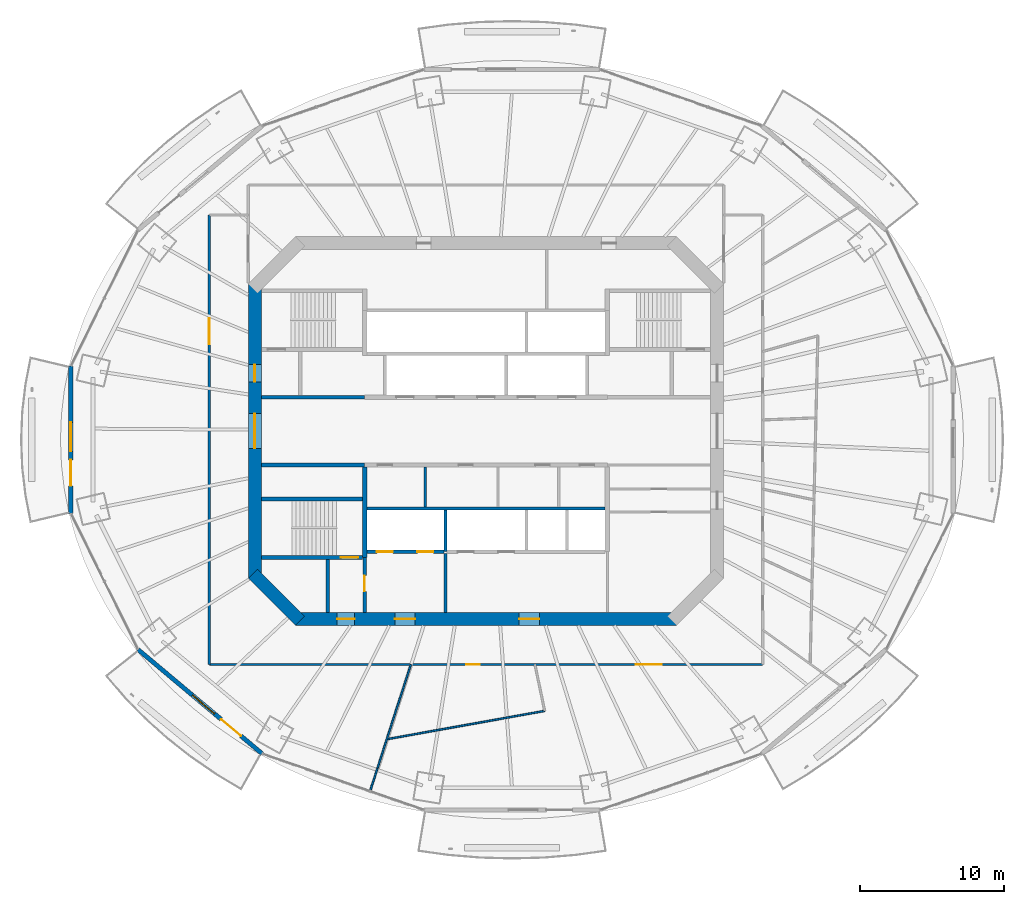
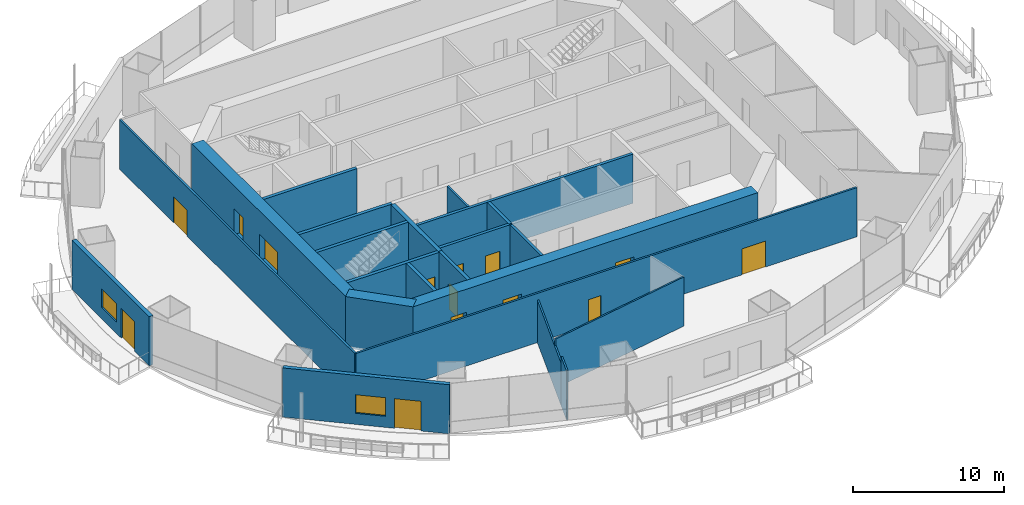
# One storey, part 11 of 20: 22 walls, 14 doors, 2 windows, 16 openings.
"""IFC4 building model written with IfcOpenShell, lengths in metres."""

from ifc_helpers import new_model, si_unit, direction, frame, frame_2d, origin, place, context, subcontext, project, spatial, rectangle, extrude, material, layer, layer_set, type_object, element, fill, save


model = new_model("IFC4")

# Units and contexts
model_context = context("Model", 3, precision=1e-05, world=origin(), true_north=direction((0.0, 1.0)))
body_context = subcontext(model_context, "Body", "Model", "MODEL_VIEW")
ifc_project = project(units=[si_unit("LENGTHUNIT", "METRE"), si_unit("AREAUNIT", "SQUARE_METRE"), si_unit("VOLUMEUNIT", "CUBIC_METRE"), si_unit("PLANEANGLEUNIT", "RADIAN"), si_unit("MASSUNIT", "GRAM", prefix="KILO")], contexts=[model_context])

# Site, building, storey
site_placement = place(None, origin())
site = spatial("IfcSite", under=ifc_project, at=site_placement, CompositionType="ELEMENT")
building_placement = place(site_placement, origin())
building = spatial("IfcBuilding", under=site, at=building_placement, Name="Marenthal Gate Tower", CompositionType="ELEMENT")
storey_placement = place(building_placement, frame((0.0, 0.0, 210.85009765625)))
storey = spatial("IfcBuildingStorey", under=building, at=storey_placement, Name="L46", CompositionType="ELEMENT", Elevation=210.85009765625)

# Wall, openings, doors
ifc_material_1 = material(Name="Concrete 60 MPa", Category="concrete")
ifc_layer_1 = layer(ifc_material_1, 0.89990234375)
ifc_layer_set_1 = layer_set([ifc_layer_1], Name="Core shear wall 900")
wall_type_1 = type_object("IfcWallType", Name="Core shear wall 900", PredefinedType="SHEAR", material=ifc_layer_set_1)
wall_1_placement = place(storey_placement, frame((-16.0, 10.186279296875, -0.18017578125), z_axis=(0.0, 0.0, 1.0), x_axis=(0.0, -1.0, 0.0)))
wall_1 = element("IfcWall", 1, at=wall_1_placement, inside=storey, type_object=wall_type_1, Name="Core wall 06", PredefinedType="SHEAR", context=body_context, shape_type="SweptSolid", body=[
    extrude(rectangle(XDim=20.37255859375, YDim=0.89990234375, at=frame_2d((10.186279296875, 0.0))), origin(), (0.0, 0.0, 1.0), 4.150146484375),
])
opening_1_placement = place(wall_1_placement, frame((8.986328125, 0.0, 0.179931640625)))
opening_1 = element("IfcOpeningElement", 2, at=opening_1_placement, cuts=wall_1, Name="Opening D003.01", PredefinedType="OPENING", context=body_context, shape_type="SweptSolid", body=[
    extrude(rectangle(XDim=2.39990234375, YDim=2.10009765625, at=frame_2d((1.199951171875, 1.050048828125))), frame((0.0, 0.4599609375, 0.0), z_axis=(0.0, -1.0, 0.0), x_axis=(1.0, 0.0, 0.0)), (0.0, 0.0, 1.0), 0.919921875),
])
opening_2_placement = place(wall_1_placement, frame((5.58642578125, 0.0, 0.179931640625)))
opening_2 = element("IfcOpeningElement", 3, at=opening_2_placement, cuts=wall_1, Name="Opening D001.04", PredefinedType="OPENING", context=body_context, shape_type="SweptSolid", body=[
    extrude(rectangle(XDim=1.199951171875, YDim=2.10009765625, at=frame_2d((0.60009765625, 1.050048828125))), frame((0.0, 0.4599609375, 0.0), z_axis=(0.0, -1.0, 0.0), x_axis=(1.0, 0.0, 0.0)), (0.0, 0.0, 1.0), 0.919921875),
])
ifc_material_2 = material(Name="Steel fire door", Category="steel")
door_type_1 = type_object("IfcDoorType", Name="Double fire door FD 45 2400 x 2100", OperationType="DOUBLE_DOOR_SINGLE_SWING", PredefinedType="DOOR", material=ifc_material_2)
door_1_placement = place(opening_1_placement, origin())
door_1 = element("IfcDoor", 4, at=door_1_placement, inside=storey, type_object=door_type_1, Name="Door D003.01", OperationType="DOUBLE_DOOR_SINGLE_SWING", OverallHeight=2.10009765625, OverallWidth=2.39990234375, PredefinedType="DOOR", context=body_context, shape_type="SweptSolid", body=[
    extrude(rectangle(XDim=2.39990234375, YDim=2.10009765625, at=frame_2d((1.199951171875, 1.050048828125))), frame((0.0, 0.02490234375, 0.0), z_axis=(0.0, -1.0, 0.0), x_axis=(1.0, 0.0, 0.0)), (0.0, 0.0, 1.0), 0.050048828125),
])
fill(opening_1, door_1)
ifc_material_3 = material(Name="Steel fire door", Category="steel")
door_type_2 = type_object("IfcDoorType", Name="Fire door FD 90 1200 x 2100", OperationType="NOTDEFINED", PredefinedType="DOOR", material=ifc_material_3)
door_2_placement = place(opening_2_placement, origin())
door_2 = element("IfcDoor", 5, at=door_2_placement, inside=storey, type_object=door_type_2, Name="Door D001.04", OperationType="SINGLE_SWING_RIGHT", OverallHeight=2.10009765625, OverallWidth=1.199951171875, PredefinedType="DOOR", context=body_context, shape_type="SweptSolid", body=[
    extrude(rectangle(XDim=1.199951171875, YDim=2.10009765625, at=frame_2d((0.60009765625, 1.050048828125))), frame((0.0, 0.02490234375, 0.0), z_axis=(0.0, -1.0, 0.0), x_axis=(1.0, 0.0, 0.0)), (0.0, 0.0, 1.0), 0.050048828125),
])
fill(opening_2, door_2)

# Wall
wall_2_placement = place(storey_placement, frame((-16.1318359375, -9.8681640625, -0.18017578125), z_axis=(0.0, 0.0, 1.0), x_axis=(0.707106781187, -0.707106781187, 0.0)))
element("IfcWall", 6, at=wall_2_placement, inside=storey, type_object=wall_type_1, Name="Core wall 07", PredefinedType="SHEAR", context=body_context, shape_type="SweptSolid", body=[
    extrude(rectangle(XDim=4.615478515625, YDim=0.89990234375, at=frame_2d((2.3076171875, 0.0))), origin(), (0.0, 0.0, 1.0), 4.150146484375),
])

# Wall, openings, doors
wall_3_placement = place(storey_placement, frame((-13.186279296875, -13.0, -0.18017578125), z_axis=(0.0, 0.0, 1.0), x_axis=(1.0, 0.0, 0.0)))
wall_3 = element("IfcWall", 7, at=wall_3_placement, inside=storey, type_object=wall_type_1, Name="Core wall 08", PredefinedType="SHEAR", context=body_context, shape_type="SweptSolid", body=[
    extrude(rectangle(XDim=26.37255859375, YDim=0.89990234375, at=frame_2d((13.186279296875, 0.0))), origin(), (0.0, 0.0, 1.0), 4.150146484375),
])
opening_3_placement = place(wall_3_placement, frame((2.886474609375, 0.0, 0.179931640625)))
opening_3 = element("IfcOpeningElement", 8, at=opening_3_placement, cuts=wall_3, Name="Opening D001.06", PredefinedType="OPENING", context=body_context, shape_type="SweptSolid", body=[
    extrude(rectangle(XDim=1.199951171875, YDim=2.10009765625, at=frame_2d((0.60009765625, 1.050048828125))), frame((0.0, 0.4599609375, 0.0), z_axis=(0.0, -1.0, 0.0), x_axis=(1.0, 0.0, 0.0)), (0.0, 0.0, 1.0), 0.919921875),
])
opening_4_placement = place(wall_3_placement, frame((6.886474609375, 0.0, 0.179931640625)))
opening_4 = element("IfcOpeningElement", 9, at=opening_4_placement, cuts=wall_3, Name="Opening D004.01", PredefinedType="OPENING", context=body_context, shape_type="SweptSolid", body=[
    extrude(rectangle(XDim=1.39990234375, YDim=2.10009765625, at=frame_2d((0.699951171875, 1.050048828125))), frame((0.0, 0.4599609375, 0.0), z_axis=(0.0, -1.0, 0.0), x_axis=(1.0, 0.0, 0.0)), (0.0, 0.0, 1.0), 0.919921875),
])
opening_5_placement = place(wall_3_placement, frame((15.486328125, 0.0, 0.179931640625)))
opening_5 = element("IfcOpeningElement", 10, at=opening_5_placement, cuts=wall_3, Name="Opening D004.02", PredefinedType="OPENING", context=body_context, shape_type="SweptSolid", body=[
    extrude(rectangle(XDim=1.39990234375, YDim=2.10009765625, at=frame_2d((0.699951171875, 1.050048828125))), frame((0.0, 0.4599609375, 0.0), z_axis=(0.0, -1.0, 0.0), x_axis=(1.0, 0.0, 0.0)), (0.0, 0.0, 1.0), 0.919921875),
])
ifc_material_4 = material(Name="Steel fire door", Category="steel")
door_type_3 = type_object("IfcDoorType", Name="Fire door FD 45 1400 x 2100", OperationType="NOTDEFINED", PredefinedType="DOOR", material=ifc_material_4)
door_3_placement = place(opening_4_placement, origin())
door_3 = element("IfcDoor", 11, at=door_3_placement, inside=storey, type_object=door_type_3, Name="Door D004.01", OperationType="SINGLE_SWING_RIGHT", OverallHeight=2.10009765625, OverallWidth=1.39990234375, PredefinedType="DOOR", context=body_context, shape_type="SweptSolid", body=[
    extrude(rectangle(XDim=1.39990234375, YDim=2.10009765625, at=frame_2d((0.699951171875, 1.050048828125))), frame((0.0, 0.02490234375, 0.0), z_axis=(0.0, -1.0, 0.0), x_axis=(1.0, 0.0, 0.0)), (0.0, 0.0, 1.0), 0.050048828125),
])
fill(opening_4, door_3)
door_4_placement = place(opening_5_placement, origin())
door_4 = element("IfcDoor", 12, at=door_4_placement, inside=storey, type_object=door_type_3, Name="Door D004.02", OperationType="SINGLE_SWING_RIGHT", OverallHeight=2.10009765625, OverallWidth=1.39990234375, PredefinedType="DOOR", context=body_context, shape_type="SweptSolid", body=[
    extrude(rectangle(XDim=1.39990234375, YDim=2.10009765625, at=frame_2d((0.699951171875, 1.050048828125))), frame((0.0, 0.02490234375, 0.0), z_axis=(0.0, -1.0, 0.0), x_axis=(1.0, 0.0, 0.0)), (0.0, 0.0, 1.0), 0.050048828125),
])
fill(opening_5, door_4)
door_5_placement = place(opening_3_placement, origin())
door_5 = element("IfcDoor", 13, at=door_5_placement, inside=storey, type_object=door_type_2, Name="Door D001.06", OperationType="SINGLE_SWING_RIGHT", OverallHeight=2.10009765625, OverallWidth=1.199951171875, PredefinedType="DOOR", context=body_context, shape_type="SweptSolid", body=[
    extrude(rectangle(XDim=1.199951171875, YDim=2.10009765625, at=frame_2d((0.60009765625, 1.050048828125))), frame((0.0, 0.02490234375, 0.0), z_axis=(0.0, -1.0, 0.0), x_axis=(1.0, 0.0, 0.0)), (0.0, 0.0, 1.0), 0.050048828125),
])
fill(opening_3, door_5)

# Walls
ifc_material_5 = material(Name="Gypsum board on steel studs", Category="steel")
ifc_layer_2 = layer(ifc_material_5, 0.199951171875)
ifc_layer_set_2 = layer_set([ifc_layer_2], Name="Fire lobby wall 200")
wall_type_2 = type_object("IfcWallType", Name="Fire lobby wall 200", PredefinedType="PARTITIONING", material=ifc_layer_set_2)
wall_4_placement = place(storey_placement, frame((-2.800048828125, -12.550048828125, 0.0), z_axis=(0.0, 0.0, 1.0), x_axis=(0.0, 1.0, 0.0)))
element("IfcWall", 14, at=wall_4_placement, inside=storey, type_object=wall_type_2, Name="Fire wall 36", PredefinedType="PARTITIONING", context=body_context, shape_type="SweptSolid", body=[
    extrude(rectangle(XDim=4.090087890625, YDim=0.199951171875, at=frame_2d((2.044921875, 0.0))), origin(), (0.0, 0.0, 1.0), 3.969970703125),
])
ifc_material_6 = material(Name="Concrete 50 MPa", Category="concrete")
ifc_layer_3 = layer(ifc_material_6, 0.300048828125)
ifc_layer_set_3 = layer_set([ifc_layer_3], Name="Hoistway shear wall 300")
wall_type_3 = type_object("IfcWallType", Name="Hoistway shear wall 300", PredefinedType="SHEAR", material=ifc_layer_set_3)
wall_5_placement = place(storey_placement, frame((-8.39990234375, -8.75, -0.18017578125), z_axis=(0.0, 0.0, 1.0), x_axis=(0.0, 1.0, 0.0)))
element("IfcWall", 15, at=wall_5_placement, inside=storey, type_object=wall_type_3, Name="Hoistway wall 31", PredefinedType="SHEAR", context=body_context, shape_type="SweptSolid", body=[
    extrude(rectangle(XDim=6.25, YDim=0.300048828125, at=frame_2d((3.125, 0.0))), origin(), (0.0, 0.0, 1.0), 4.150146484375),
])

# Wall, openings, doors
ifc_material_7 = material(Name="Concrete 40 MPa", Category="concrete")
ifc_layer_4 = layer(ifc_material_7, 0.219970703125)
ifc_layer_set_4 = layer_set([ifc_layer_4], Name="Hoistway wall 220")
wall_type_4 = type_object("IfcWallType", Name="Hoistway wall 220", PredefinedType="STANDARD", material=ifc_layer_set_4)
wall_6_placement = place(storey_placement, frame((-8.25, -8.35009765625, 0.0), z_axis=(0.0, 0.0, 1.0), x_axis=(1.0, 0.0, 0.0)))
wall_6 = element("IfcWall", 16, at=wall_6_placement, inside=storey, type_object=wall_type_4, Name="Hoistway wall 10", PredefinedType="STANDARD", context=body_context, shape_type="SweptSolid", body=[
    extrude(rectangle(XDim=5.340087890625, YDim=0.219970703125, at=frame_2d((2.669921875, 0.0))), origin(), (0.0, 0.0, 1.0), 3.969970703125),
])
opening_6_placement = place(wall_6_placement, frame((0.699951171875, 0.0, 0.0)))
opening_6 = element("IfcOpeningElement", 17, at=opening_6_placement, cuts=wall_6, Name="Opening LD-LF1", PredefinedType="OPENING", context=body_context, shape_type="SweptSolid", body=[
    extrude(rectangle(XDim=1.10009765625, YDim=2.10009765625, at=frame_2d((0.550048828125, 1.050048828125))), frame((0.0, 0.1201171875, 0.0), z_axis=(0.0, -1.0, 0.0), x_axis=(1.0, 0.0, 0.0)), (0.0, 0.0, 1.0), 0.239990234375),
])
opening_7_placement = place(wall_6_placement, frame((3.5, 0.0, 0.0)))
opening_7 = element("IfcOpeningElement", 18, at=opening_7_placement, cuts=wall_6, Name="Opening LD-LF2", PredefinedType="OPENING", context=body_context, shape_type="SweptSolid", body=[
    extrude(rectangle(XDim=1.10009765625, YDim=2.10009765625, at=frame_2d((0.550048828125, 1.050048828125))), frame((0.0, 0.1201171875, 0.0), z_axis=(0.0, -1.0, 0.0), x_axis=(1.0, 0.0, 0.0)), (0.0, 0.0, 1.0), 0.239990234375),
])
ifc_material_8 = material(Name="Stainless steel sliding door", Category="steel")
door_type_4 = type_object("IfcDoorType", Name="Lift landing door FD 90 1100 x 2100", OperationType="DOUBLE_DOOR_SLIDING", PredefinedType="DOOR", material=ifc_material_8)
door_6_placement = place(opening_6_placement, origin())
door_6 = element("IfcDoor", 19, at=door_6_placement, inside=storey, type_object=door_type_4, Name="Lift landing door LF1", OperationType="DOUBLE_DOOR_SLIDING", OverallHeight=2.10009765625, OverallWidth=1.10009765625, PredefinedType="DOOR", context=body_context, shape_type="SweptSolid", body=[
    extrude(rectangle(XDim=1.10009765625, YDim=2.10009765625, at=frame_2d((0.550048828125, 1.050048828125))), frame((0.0, 0.02490234375, 0.0), z_axis=(0.0, -1.0, 0.0), x_axis=(1.0, 0.0, 0.0)), (0.0, 0.0, 1.0), 0.050048828125),
])
fill(opening_6, door_6)
door_7_placement = place(opening_7_placement, origin())
door_7 = element("IfcDoor", 20, at=door_7_placement, inside=storey, type_object=door_type_4, Name="Lift landing door LF2", OperationType="DOUBLE_DOOR_SLIDING", OverallHeight=2.10009765625, OverallWidth=1.10009765625, PredefinedType="DOOR", context=body_context, shape_type="SweptSolid", body=[
    extrude(rectangle(XDim=1.10009765625, YDim=2.10009765625, at=frame_2d((0.550048828125, 1.050048828125))), frame((0.0, 0.02490234375, 0.0), z_axis=(0.0, -1.0, 0.0), x_axis=(1.0, 0.0, 0.0)), (0.0, 0.0, 1.0), 0.050048828125),
])
fill(opening_7, door_7)

# Walls
wall_7_placement = place(storey_placement, frame((-8.25, -5.35009765625, 0.0), z_axis=(0.0, 0.0, 1.0), x_axis=(1.0, 0.0, 0.0)))
element("IfcWall", 21, at=wall_7_placement, inside=storey, type_object=wall_type_4, Name="Hoistway wall 13", PredefinedType="STANDARD", context=body_context, shape_type="SweptSolid", body=[
    extrude(rectangle(XDim=16.5, YDim=0.219970703125, at=frame_2d((8.25, 0.0))), origin(), (0.0, 0.0, 1.0), 3.969970703125),
])
wall_8_placement = place(storey_placement, frame((-2.800048828125, -8.35009765625, 0.0), z_axis=(0.0, 0.0, 1.0), x_axis=(0.0, 1.0, 0.0)))
element("IfcWall", 22, at=wall_8_placement, inside=storey, type_object=wall_type_4, Name="Hoistway wall 37", PredefinedType="STANDARD", context=body_context, shape_type="SweptSolid", body=[
    extrude(rectangle(XDim=2.89013671875, YDim=0.219970703125, at=frame_2d((1.445068359375, 0.0))), origin(), (0.0, 0.0, 1.0), 3.969970703125),
])
ifc_material_9 = material(Name="Gypsum board on steel studs", Category="steel")
ifc_layer_5 = layer(ifc_material_9, 0.1201171875)
ifc_layer_set_5 = layer_set([ifc_layer_5], Name="Partition 120")
wall_type_5 = type_object("IfcWallType", Name="Partition 120", PredefinedType="PARTITIONING", material=ifc_layer_set_5)
wall_9_placement = place(storey_placement, frame((-6.865234375, -21.32666015625, 0.0), z_axis=(0.0, 0.0, 1.0), x_axis=(0.984270324464, 0.176668979676, 0.0)))
element("IfcWall", 23, at=wall_9_placement, inside=storey, type_object=wall_type_5, Name="Partition wall 55", PredefinedType="PARTITIONING", context=body_context, shape_type="SweptSolid", body=[
    extrude(rectangle(XDim=11.100830078125, YDim=0.1201171875, at=frame_2d((5.55029296875, 0.0))), origin(), (0.0, 0.0, 1.0), 3.969970703125),
])
wall_10_placement = place(storey_placement, frame((-5.19873046875, -16.14990234375, 0.0), z_axis=(0.0, 0.0, 1.0), x_axis=(-0.30641480545, -0.951898086457, 0.0)))
element("IfcWall", 24, at=wall_10_placement, inside=storey, type_object=wall_type_5, Name="Partition wall 56", PredefinedType="PARTITIONING", context=body_context, shape_type="SweptSolid", body=[
    extrude(rectangle(XDim=7.558837890625, YDim=0.1201171875, at=frame_2d((3.779296875, 0.0))), origin(), (0.0, 0.0, 1.0), 3.433837890625),
])
wall_11_placement = place(storey_placement, frame((-7.514892578125, -23.34521484375, 0.0), z_axis=(0.0, 0.0, 1.0), x_axis=(-0.306452252589, -0.951886031457, 0.0)))
element("IfcWall", 25, at=wall_11_placement, inside=storey, type_object=wall_type_5, Name="Partition wall 69", PredefinedType="PARTITIONING", context=body_context, shape_type="SweptSolid", body=[
    extrude(rectangle(XDim=1.65869140625, YDim=0.1201171875, at=frame_2d((0.829345703125, 0.0))), origin(), (0.0, 0.0, 1.0), 3.969970703125),
])
ifc_material_10 = material(Name="Gypsum board on steel studs", Category="steel")
ifc_layer_6 = layer(ifc_material_10, 0.14990234375)
ifc_layer_set_6 = layer_set([ifc_layer_6], Name="Partition 150")
wall_type_6 = type_object("IfcWallType", Name="Partition 150", PredefinedType="PARTITIONING", material=ifc_layer_set_6)
wall_12_placement = place(storey_placement, frame((-4.199951171875, -5.239990234375, 0.0), z_axis=(0.0, 0.0, 1.0), x_axis=(0.0, 1.0, 0.0)))
element("IfcWall", 26, at=wall_12_placement, inside=storey, type_object=wall_type_6, Name="Partition wall 35", PredefinedType="PARTITIONING", context=body_context, shape_type="SweptSolid", body=[
    extrude(rectangle(XDim=2.739990234375, YDim=0.14990234375, at=frame_2d((1.3701171875, 0.0))), origin(), (0.0, 0.0, 1.0), 3.969970703125),
])

# Wall, opening, door
wall_13_placement = place(storey_placement, frame((-19.14990234375, -16.14990234375, 0.0), z_axis=(0.0, 0.0, 1.0), x_axis=(0.0, 1.0, 0.0)))
wall_13 = element("IfcWall", 27, at=wall_13_placement, inside=storey, type_object=wall_type_6, Name="Partition wall 51", PredefinedType="PARTITIONING", context=body_context, shape_type="SweptSolid", body=[
    extrude(rectangle(XDim=31.114013671875, YDim=0.14990234375, at=frame_2d((15.55712890625, 0.0))), origin(), (0.0, 0.0, 1.0), 3.969970703125),
])
opening_8_placement = place(wall_13_placement, frame((22.166015625, 0.0, 0.0)))
opening_8 = element("IfcOpeningElement", 28, at=opening_8_placement, cuts=wall_13, Name="Opening D014.01", PredefinedType="OPENING", context=body_context, shape_type="SweptSolid", body=[
    extrude(rectangle(XDim=1.800048828125, YDim=2.10009765625, at=frame_2d((0.89990234375, 1.050048828125))), frame((0.0, 0.0849609375, 0.0), z_axis=(0.0, -1.0, 0.0), x_axis=(1.0, 0.0, 0.0)), (0.0, 0.0, 1.0), 0.169921875),
])
ifc_material_11 = material(Name="Timber door", Category="wood")
door_type_5 = type_object("IfcDoorType", Name="Double door 1800 x 2100", OperationType="DOUBLE_DOOR_SINGLE_SWING", PredefinedType="DOOR", material=ifc_material_11)
door_8_placement = place(opening_8_placement, origin())
door_8 = element("IfcDoor", 29, at=door_8_placement, inside=storey, type_object=door_type_5, Name="Door D014.01", OperationType="DOUBLE_DOOR_SINGLE_SWING", OverallHeight=2.10009765625, OverallWidth=1.800048828125, PredefinedType="DOOR", context=body_context, shape_type="SweptSolid", body=[
    extrude(rectangle(XDim=1.800048828125, YDim=2.10009765625, at=frame_2d((0.89990234375, 1.050048828125))), frame((0.0, 0.02490234375, 0.0), z_axis=(0.0, -1.0, 0.0), x_axis=(1.0, 0.0, 0.0)), (0.0, 0.0, 1.0), 0.050048828125),
])
fill(opening_8, door_8)

# Wall, openings, doors
wall_14_placement = place(storey_placement, frame((19.14990234375, -16.14990234375, 0.0), z_axis=(0.0, 0.0, 1.0), x_axis=(-1.0, 0.0, 0.0)))
wall_14 = element("IfcWall", 30, at=wall_14_placement, inside=storey, type_object=wall_type_6, Name="Partition wall 60", PredefinedType="PARTITIONING", context=body_context, shape_type="SweptSolid", body=[
    extrude(rectangle(XDim=38.2998046875, YDim=0.14990234375, at=frame_2d((19.14990234375, 0.0))), origin(), (0.0, 0.0, 1.0), 3.969970703125),
])
opening_9_placement = place(wall_14_placement, frame((19.5810546875, 0.0, 0.0)))
opening_9 = element("IfcOpeningElement", 31, at=opening_9_placement, cuts=wall_14, Name="Opening D016.01", PredefinedType="OPENING", context=body_context, shape_type="SweptSolid", body=[
    extrude(rectangle(XDim=0.949951171875, YDim=2.10009765625, at=frame_2d((0.47509765625, 1.050048828125))), frame((0.0, 0.0849609375, 0.0), z_axis=(0.0, -1.0, 0.0), x_axis=(1.0, 0.0, 0.0)), (0.0, 0.0, 1.0), 0.169921875),
])
opening_10_placement = place(wall_14_placement, frame((6.98095703125, 0.0, 0.0)))
opening_10 = element("IfcOpeningElement", 32, at=opening_10_placement, cuts=wall_14, Name="Opening D014.02", PredefinedType="OPENING", context=body_context, shape_type="SweptSolid", body=[
    extrude(rectangle(XDim=1.800048828125, YDim=2.10009765625, at=frame_2d((0.89990234375, 1.050048828125))), frame((0.0, 0.0849609375, 0.0), z_axis=(0.0, -1.0, 0.0), x_axis=(1.0, 0.0, 0.0)), (0.0, 0.0, 1.0), 0.169921875),
])
ifc_material_12 = material(Name="Timber door", Category="wood")
door_type_6 = type_object("IfcDoorType", Name="Door 950 x 2100", OperationType="NOTDEFINED", PredefinedType="DOOR", material=ifc_material_12)
door_9_placement = place(opening_9_placement, origin())
door_9 = element("IfcDoor", 33, at=door_9_placement, inside=storey, type_object=door_type_6, Name="Door D016.01", OperationType="SINGLE_SWING_RIGHT", OverallHeight=2.10009765625, OverallWidth=0.949951171875, PredefinedType="DOOR", context=body_context, shape_type="SweptSolid", body=[
    extrude(rectangle(XDim=0.949951171875, YDim=2.10009765625, at=frame_2d((0.47509765625, 1.050048828125))), frame((0.0, 0.02490234375, 0.0), z_axis=(0.0, -1.0, 0.0), x_axis=(1.0, 0.0, 0.0)), (0.0, 0.0, 1.0), 0.050048828125),
])
fill(opening_9, door_9)
door_10_placement = place(opening_10_placement, origin())
door_10 = element("IfcDoor", 34, at=door_10_placement, inside=storey, type_object=door_type_5, Name="Door D014.02", OperationType="DOUBLE_DOOR_SINGLE_SWING", OverallHeight=2.10009765625, OverallWidth=1.800048828125, PredefinedType="DOOR", context=body_context, shape_type="SweptSolid", body=[
    extrude(rectangle(XDim=1.800048828125, YDim=2.10009765625, at=frame_2d((0.89990234375, 1.050048828125))), frame((0.0, 0.02490234375, 0.0), z_axis=(0.0, -1.0, 0.0), x_axis=(1.0, 0.0, 0.0)), (0.0, 0.0, 1.0), 0.050048828125),
])
fill(opening_10, door_10)

# Walls
ifc_material_13 = material(Name="Concrete 40 MPa", Category="concrete")
ifc_layer_7 = layer(ifc_material_13, 0.25)
ifc_layer_set_7 = layer_set([ifc_layer_7], Name="Stair enclosure wall 250")
wall_type_7 = type_object("IfcWallType", Name="Stair enclosure wall 250", PredefinedType="STANDARD", material=ifc_layer_set_7)
for number, where, z_axis, x_axis, name in (
    (35, (-15.550048828125, -2.35009765625, 0.0), (0.0, 0.0, 1.0), (1.0, 0.0, 0.0), "Stair wall 16"),
    (36, (-15.550048828125, 2.35009765625, 0.0), (0.0, 0.0, 1.0), (1.0, 0.0, 0.0), "Stair wall 19"),
):
    element("IfcWall", number, at=place(storey_placement, frame(where, z_axis=z_axis, x_axis=x_axis)), inside=storey, type_object=wall_type_7, Name=name, PredefinedType="STANDARD", context=body_context, shape_type="SweptSolid", body=[
        extrude(rectangle(XDim=7.150146484375, YDim=0.25, at=frame_2d((3.5751953125, 0.0))), origin(), (0.0, 0.0, 1.0), 3.969970703125),
    ])
wall_15_placement = place(storey_placement, frame((-10.949951171875, -12.550048828125, 0.0), z_axis=(0.0, 0.0, 1.0), x_axis=(0.0, 1.0, 0.0)))
element("IfcWall", 37, at=wall_15_placement, inside=storey, type_object=wall_type_7, Name="Stair wall 29", PredefinedType="STANDARD", context=body_context, shape_type="SweptSolid", body=[
    extrude(rectangle(XDim=3.675048828125, YDim=0.25, at=frame_2d((1.83740234375, 0.0))), origin(), (0.0, 0.0, 1.0), 3.969970703125),
])

# Wall, opening, door
wall_16_placement = place(storey_placement, frame((-8.39990234375, -12.550048828125, 0.0), z_axis=(0.0, 0.0, 1.0), x_axis=(0.0, 1.0, 0.0)))
wall_16 = element("IfcWall", 38, at=wall_16_placement, inside=storey, type_object=wall_type_7, Name="Stair wall 30", PredefinedType="STANDARD", context=body_context, shape_type="SweptSolid", body=[
    extrude(rectangle(XDim=3.800048828125, YDim=0.25, at=frame_2d((1.89990234375, 0.0))), origin(), (0.0, 0.0, 1.0), 3.969970703125),
])
opening_11_placement = place(wall_16_placement, frame((1.449951171875, 0.0, 0.0)))
opening_11 = element("IfcOpeningElement", 39, at=opening_11_placement, cuts=wall_16, Name="Opening D002.01", PredefinedType="OPENING", context=body_context, shape_type="SweptSolid", body=[
    extrude(rectangle(XDim=1.10009765625, YDim=2.10009765625, at=frame_2d((0.550048828125, 1.050048828125))), frame((0.0, 0.135009765625, 0.0), z_axis=(0.0, -1.0, 0.0), x_axis=(1.0, 0.0, 0.0)), (0.0, 0.0, 1.0), 0.27001953125),
])
ifc_material_14 = material(Name="Steel fire door", Category="steel")
door_type_7 = type_object("IfcDoorType", Name="Fire door FD 90 1100 x 2100", OperationType="NOTDEFINED", PredefinedType="DOOR", material=ifc_material_14)
door_11_placement = place(opening_11_placement, origin())
door_11 = element("IfcDoor", 40, at=door_11_placement, inside=storey, type_object=door_type_7, Name="Door D002.01", OperationType="SINGLE_SWING_RIGHT", OverallHeight=2.10009765625, OverallWidth=1.10009765625, PredefinedType="DOOR", context=body_context, shape_type="SweptSolid", body=[
    extrude(rectangle(XDim=1.10009765625, YDim=2.10009765625, at=frame_2d((0.550048828125, 1.050048828125))), frame((0.0, 0.02490234375, 0.0), z_axis=(0.0, -1.0, 0.0), x_axis=(1.0, 0.0, 0.0)), (0.0, 0.0, 1.0), 0.050048828125),
])
fill(opening_11, door_11)

ifc_material_15 = material(Name="Concrete 50 MPa", Category="concrete")
ifc_layer_8 = layer(ifc_material_15, 0.25)
ifc_layer_set_8 = layer_set([ifc_layer_8], Name="Stair shear wall 250")
wall_type_8 = type_object("IfcWallType", Name="Stair shear wall 250", PredefinedType="SHEAR", material=ifc_layer_set_8)
wall_17_placement = place(storey_placement, frame((-15.550048828125, -8.75, -0.18017578125), z_axis=(0.0, 0.0, 1.0), x_axis=(1.0, 0.0, 0.0)))
wall_17 = element("IfcWall", 41, at=wall_17_placement, inside=storey, type_object=wall_type_8, Name="Stair wall 09", PredefinedType="SHEAR", context=body_context, shape_type="SweptSolid", body=[
    extrude(rectangle(XDim=7.0, YDim=0.25, at=frame_2d((3.5, 0.0))), origin(), (0.0, 0.0, 1.0), 4.150146484375),
])
opening_12_placement = place(wall_17_placement, frame((5.5, 0.0, 0.179931640625)))
opening_12 = element("IfcOpeningElement", 42, at=opening_12_placement, cuts=wall_17, Name="Opening D001.03", PredefinedType="OPENING", context=body_context, shape_type="SweptSolid", body=[
    extrude(rectangle(XDim=1.199951171875, YDim=2.10009765625, at=frame_2d((0.60009765625, 1.050048828125))), frame((0.0, 0.135009765625, 0.0), z_axis=(0.0, -1.0, 0.0), x_axis=(1.0, 0.0, 0.0)), (0.0, 0.0, 1.0), 0.27001953125),
])
door_12_placement = place(opening_12_placement, origin())
door_12 = element("IfcDoor", 43, at=door_12_placement, inside=storey, type_object=door_type_2, Name="Door D001.03", OperationType="SINGLE_SWING_RIGHT", OverallHeight=2.10009765625, OverallWidth=1.199951171875, PredefinedType="DOOR", context=body_context, shape_type="SweptSolid", body=[
    extrude(rectangle(XDim=1.199951171875, YDim=2.10009765625, at=frame_2d((0.60009765625, 1.050048828125))), frame((0.0, 0.02490234375, 0.0), z_axis=(0.0, -1.0, 0.0), x_axis=(1.0, 0.0, 0.0)), (0.0, 0.0, 1.0), 0.050048828125),
])
fill(opening_12, door_12)

# Wall
wall_18_placement = place(storey_placement, frame((-15.550048828125, -4.699951171875, -0.18017578125), z_axis=(0.0, 0.0, 1.0), x_axis=(1.0, 0.0, 0.0)))
element("IfcWall", 44, at=wall_18_placement, inside=storey, type_object=wall_type_8, Name="Stair wall 14", PredefinedType="SHEAR", context=body_context, shape_type="SweptSolid", body=[
    extrude(rectangle(XDim=7.0, YDim=0.25, at=frame_2d((3.5, 0.0))), origin(), (0.0, 0.0, 1.0), 4.150146484375),
])

# Wall, openings, door, window
ifc_material_16 = material(Name="Terracotta cladding on insulated concrete-block backing", Category="masonry")
ifc_layer_9 = layer(ifc_material_16, 0.300048828125)
ifc_layer_set_9 = layer_set([ifc_layer_9], Name="Terracotta facade wall 300")
wall_type_9 = type_object("IfcWallType", Name="Terracotta facade wall 300", PredefinedType="SOLIDWALL", material=ifc_layer_set_9)
wall_19_placement = place(storey_placement, frame((-28.731689453125, 4.497802734375, 0.0), z_axis=(0.0, 0.0, 1.0), x_axis=(0.0, -1.0, 0.0)))
wall_19 = element("IfcWall", 45, at=wall_19_placement, inside=storey, type_object=wall_type_9, Name="Terracotta facade wall L46 bay 8", PredefinedType="SOLIDWALL", context=body_context, shape_type="SweptSolid", body=[
    extrude(rectangle(XDim=10.195556640625, YDim=0.300048828125, at=frame_2d((5.09765625, 0.0))), origin(), (0.0, 0.0, 1.0), 3.969970703125),
])
opening_13_placement = place(wall_19_placement, frame((6.495361328125, 0.0, 0.0)))
opening_13 = element("IfcOpeningElement", 46, at=opening_13_placement, cuts=wall_19, Name="Opening BD-L46-08", PredefinedType="OPENING", context=body_context, shape_type="SweptSolid", body=[
    extrude(rectangle(XDim=1.800048828125, YDim=2.39990234375, at=frame_2d((0.89990234375, 1.199951171875))), frame((0.0, 0.16015625, 0.0), z_axis=(0.0, -1.0, 0.0), x_axis=(1.0, 0.0, 0.0)), (0.0, 0.0, 1.0), 0.320068359375),
])
opening_14_placement = place(wall_19_placement, frame((3.8955078125, 0.0, 0.89990234375)))
opening_14 = element("IfcOpeningElement", 47, at=opening_14_placement, cuts=wall_19, Name="Opening WN2-L46-08", PredefinedType="OPENING", context=body_context, shape_type="SweptSolid", body=[
    extrude(rectangle(XDim=2.0, YDim=1.5, at=frame_2d((1.0, 0.75))), frame((0.0, 0.16015625, 0.0), z_axis=(0.0, -1.0, 0.0), x_axis=(1.0, 0.0, 0.0)), (0.0, 0.0, 1.0), 0.320068359375),
])
ifc_material_17 = material(Name="Aluminium and glass", Category="aluminium")
door_type_8 = type_object("IfcDoorType", Name="Balcony door 1800x2400", OperationType="DOUBLE_DOOR_SINGLE_SWING", PredefinedType="DOOR", material=ifc_material_17)
door_13_placement = place(opening_13_placement, origin())
door_13 = element("IfcDoor", 48, at=door_13_placement, inside=storey, type_object=door_type_8, Name="Balcony door L46 bay 8", OperationType="SINGLE_SWING_LEFT", OverallHeight=2.39990234375, OverallWidth=1.800048828125, PredefinedType="DOOR", context=body_context, shape_type="SweptSolid", body=[
    extrude(rectangle(XDim=1.800048828125, YDim=2.39990234375, at=frame_2d((0.89990234375, 1.199951171875))), frame((0.0, 0.02490234375, 0.0), z_axis=(0.0, -1.0, 0.0), x_axis=(1.0, 0.0, 0.0)), (0.0, 0.0, 1.0), 0.050048828125),
])
fill(opening_13, door_13)
ifc_material_18 = material(Name="Aluminium and glass", Category="aluminium")
window_type = type_object("IfcWindowType", Name="Window 2000x1500", PartitioningType="DOUBLE_PANEL_VERTICAL", PredefinedType="WINDOW", material=ifc_material_18)
window_1_placement = place(opening_14_placement, origin())
window_1 = element("IfcWindow", 49, at=window_1_placement, inside=storey, type_object=window_type, Name="Window L46 bay 8", OverallHeight=1.5, OverallWidth=2.0, PartitioningType="SINGLE_PANEL", PredefinedType="WINDOW", context=body_context, shape_type="SweptSolid", body=[
    extrude(rectangle(XDim=2.0, YDim=1.5, at=frame_2d((1.0, 0.75))), frame((0.0, 0.030029296875, 0.0), z_axis=(0.0, -1.0, 0.0), x_axis=(1.0, 0.0, 0.0)), (0.0, 0.0, 1.0), 0.06005859375),
])
fill(opening_14, window_1)

wall_20_placement = place(storey_placement, frame((-24.08349609375, -15.1171875, 0.0), z_axis=(0.0, 0.0, 1.0), x_axis=(0.765944577674, -0.642906605917, 0.0)))
wall_20 = element("IfcWall", 50, at=wall_20_placement, inside=storey, type_object=wall_type_9, Name="Terracotta facade wall L46 bay 10", PredefinedType="SOLIDWALL", context=body_context, shape_type="SweptSolid", body=[
    extrude(rectangle(XDim=11.213134765625, YDim=0.300048828125, at=frame_2d((5.6064453125, 0.0))), origin(), (0.0, 0.0, 1.0), 3.969970703125),
])
opening_15_placement = place(wall_20_placement, frame((7.51318359375, 0.0, 0.0)))
opening_15 = element("IfcOpeningElement", 51, at=opening_15_placement, cuts=wall_20, Name="Opening BD-L46-10", PredefinedType="OPENING", context=body_context, shape_type="SweptSolid", body=[
    extrude(rectangle(XDim=1.800048828125, YDim=2.39990234375, at=frame_2d((0.89990234375, 1.199951171875))), frame((0.0, 0.16015625, 0.0), z_axis=(0.0, -1.0, 0.0), x_axis=(1.0, 0.0, 0.0)), (0.0, 0.0, 1.0), 0.320068359375),
])
opening_16_placement = place(wall_20_placement, frame((4.913330078125, 0.0, 0.89990234375)))
opening_16 = element("IfcOpeningElement", 52, at=opening_16_placement, cuts=wall_20, Name="Opening WN2-L46-10", PredefinedType="OPENING", context=body_context, shape_type="SweptSolid", body=[
    extrude(rectangle(XDim=2.0, YDim=1.5, at=frame_2d((1.0, 0.75))), frame((0.0, 0.16015625, 0.0), z_axis=(0.0, -1.0, 0.0), x_axis=(1.0, 0.0, 0.0)), (0.0, 0.0, 1.0), 0.320068359375),
])
door_14_placement = place(opening_15_placement, origin())
door_14 = element("IfcDoor", 53, at=door_14_placement, inside=storey, type_object=door_type_8, Name="Balcony door L46 bay 10", OperationType="SINGLE_SWING_LEFT", OverallHeight=2.39990234375, OverallWidth=1.800048828125, PredefinedType="DOOR", context=body_context, shape_type="SweptSolid", body=[
    extrude(rectangle(XDim=1.800048828125, YDim=2.39990234375, at=frame_2d((0.89990234375, 1.199951171875))), frame((0.0, 0.02490234375, 0.0), z_axis=(0.0, -1.0, 0.0), x_axis=(1.0, 0.0, 0.0)), (0.0, 0.0, 1.0), 0.050048828125),
])
fill(opening_15, door_14)
window_2_placement = place(opening_16_placement, origin())
window_2 = element("IfcWindow", 54, at=window_2_placement, inside=storey, type_object=window_type, Name="Window L46 bay 10", OverallHeight=1.5, OverallWidth=2.0, PartitioningType="SINGLE_PANEL", PredefinedType="WINDOW", context=body_context, shape_type="SweptSolid", body=[
    extrude(rectangle(XDim=2.0, YDim=1.5, at=frame_2d((1.0, 0.75))), frame((0.0, 0.030029296875, 0.0), z_axis=(0.0, -1.0, 0.0), x_axis=(1.0, 0.0, 0.0)), (0.0, 0.0, 1.0), 0.06005859375),
])
fill(opening_16, window_2)

save(model, "model.ifc")
